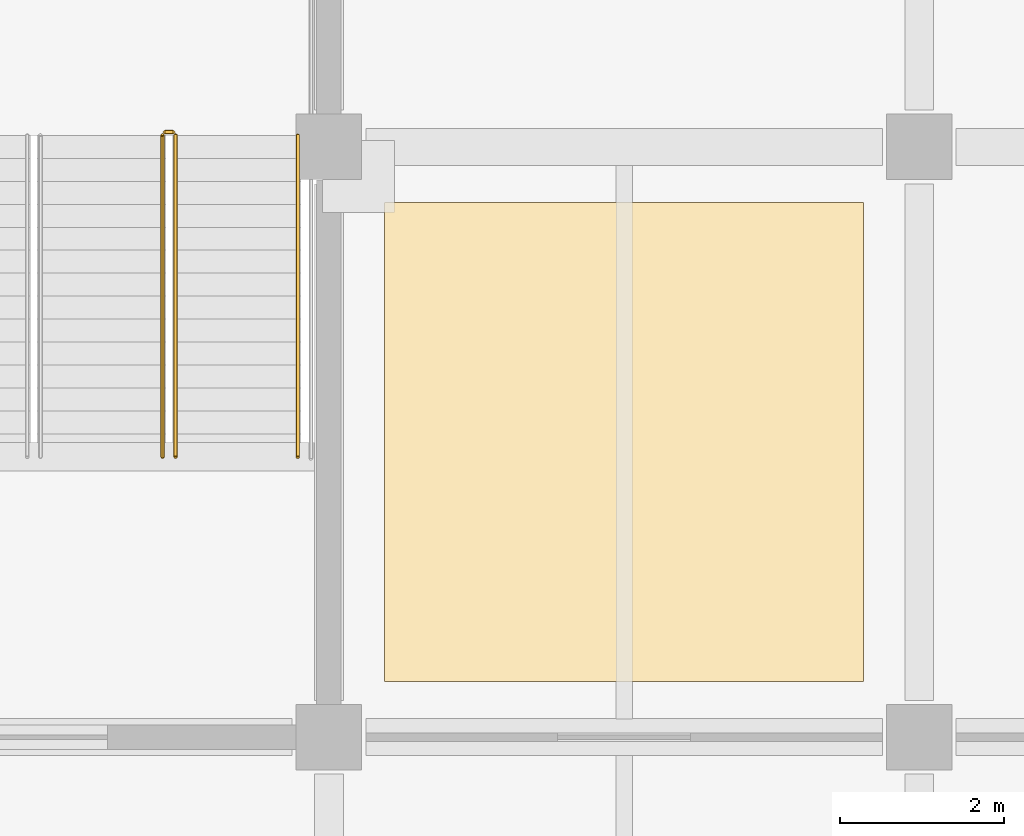
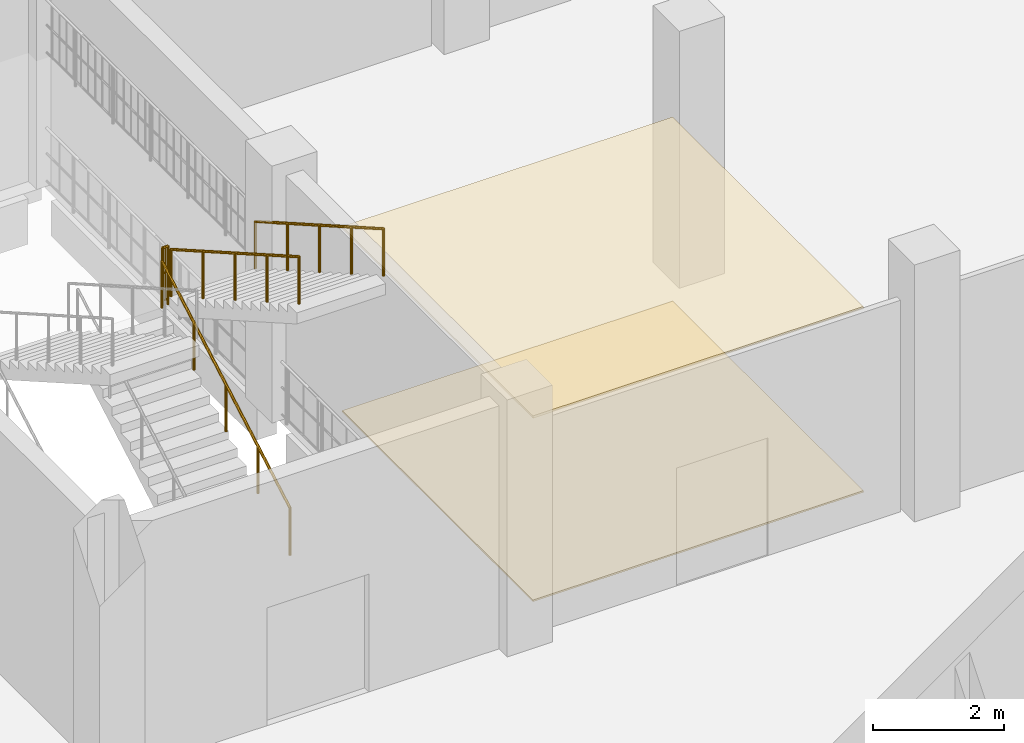
# One storey, part 86 of 99: 4 railings, 2 coverings.
"""IFC4 building model written with IfcOpenShell, lengths in metres."""

from ifc_helpers import new_model, si_unit, direction, frame, origin, origin_2d, place, context, subcontext, project, spatial, polyline, circle, outline, extrude, material, layer, layer_set, type_object, element, save


model = new_model("IFC4")

# Units and contexts
model_context = context("Model", 3, precision=1e-05, world=origin(), true_north=direction((0.0, 1.0)))
body_context = subcontext(model_context, "Body", "Model", "MODEL_VIEW")
ifc_project = project(units=[si_unit("LENGTHUNIT", "METRE"), si_unit("AREAUNIT", "SQUARE_METRE"), si_unit("VOLUMEUNIT", "CUBIC_METRE"), si_unit("PLANEANGLEUNIT", "RADIAN"), si_unit("MASSUNIT", "GRAM", prefix="KILO")], contexts=[model_context])

# Site, building, storey
site_placement = place(None, origin())
site = spatial("IfcSite", under=ifc_project, at=site_placement, CompositionType="ELEMENT")
building_placement = place(site_placement, origin())
building = spatial("IfcBuilding", under=site, at=building_placement, Name="Vesperath Aquatics Centre", CompositionType="ELEMENT")
storey_placement = place(building_placement, frame((0.0, 0.0, 5.39990234375)))
storey = spatial("IfcBuildingStorey", under=building, at=storey_placement, Name="L01", CompositionType="ELEMENT", Elevation=5.39990234375)

# Coverings
ifc_material_1 = material(Name="Perforated moisture-resistant acoustic mineral-fibre ceiling", Category="gypsum")
ifc_layer_1 = layer(ifc_material_1, 0.044921875)
ifc_layer_set_1 = layer_set([ifc_layer_1], Name="Perforated moisture-resistant acoustic mineral-fibre ceiling")
covering_type_1 = type_object("IfcCoveringType", Name="CV-CLG01", PredefinedType="CEILING", material=ifc_layer_set_1)
covering_1_placement = place(storey_placement, frame((0.0, 0.0, 3.425048828125)))
element("IfcCovering", 1, at=covering_1_placement, inside=storey, type_object=covering_type_1, Name="Acoustic Suspended Ceiling CLG1 L01_TEACH_1", PredefinedType="CEILING", context=body_context, shape_type="SweptSolid", body=[
    extrude(outline(polyline([(123.080078125, 22.280029296875), (128.919921875, 22.280029296875), (128.919921875, 28.1201171875), (123.080078125, 28.1201171875), (123.080078125, 22.280029296875)])), origin(), (0.0, 0.0, 1.0), 0.045166015625),
])
ifc_material_2 = material(Name="Slip-resistant vitrified ceramic and terrazzo flooring", Category="ceramic")
ifc_layer_2 = layer(ifc_material_2, 0.030029296875)
ifc_layer_set_2 = layer_set([ifc_layer_2], Name="Slip-resistant vitrified ceramic and terrazzo flooring")
covering_type_2 = type_object("IfcCoveringType", Name="CV-FLR01", PredefinedType="FLOORING", material=ifc_layer_set_2)
covering_2_placement = place(storey_placement, origin())
element("IfcCovering", 2, at=covering_2_placement, inside=storey, type_object=covering_type_2, Name="Slip-Resistant Floor Finish FLR1 L01_TEACH_1", PredefinedType="FLOORING", context=body_context, shape_type="SweptSolid", body=[
    extrude(outline(polyline([(123.080078125, 22.280029296875), (128.919921875, 22.280029296875), (128.919921875, 28.1201171875), (123.080078125, 28.1201171875), (123.080078125, 22.280029296875)])), origin(), (0.0, 0.0, 1.0), 0.030029296875),
])

# Railings
ifc_material_3 = material(Name="Powder-coated galvanized steel safety guard", Category="steel")
railing_type_1 = type_object("IfcRailingType", Name="RL-GRD01", PredefinedType="GUARDRAIL", material=ifc_material_3)
railing_1_placement = place(storey_placement, frame((120.39990234375, 28.97998046875, 2.400146484375)))
element("IfcRailing", 3, at=railing_1_placement, inside=storey, type_object=railing_type_1, Name="Stair ST7B Half-Landing Slot Guard GR02 L01", PredefinedType="GUARDRAIL", context=body_context, shape_type="SweptSolid", body=[
    extrude(circle(Radius=0.02392578125, at=origin_2d()), frame((0.0, 0.0, 1.0859375), z_axis=(1.0, 0.0, 0.0), x_axis=(0.0, 1.0, 0.0)), (0.0, 0.0, 1.0), 0.10009765625),
    extrude(circle(Radius=0.01611328125, at=origin_2d()), frame((0.0, 0.0, 0.10009765625), z_axis=(1.0, 0.0, 0.0), x_axis=(0.0, 1.0, 0.0)), (0.0, 0.0, 1.0), 0.10009765625),
    extrude(circle(Radius=0.01611328125, at=origin_2d()), frame((0.0, 0.0, 0.610595703125), z_axis=(1.0, 0.0, 0.0), x_axis=(0.0, 1.0, 0.0)), (0.0, 0.0, 1.0), 0.10009765625),
    extrude(circle(Radius=0.009033203125, at=origin_2d()), frame((0.050048828125, 0.0, 0.10009765625)), (0.0, 0.0, 1.0), 0.9619140625),
    extrude(circle(Radius=0.02197265625, at=origin_2d()), origin(), (0.0, 0.0, 1.0), 1.0859375),
    extrude(circle(Radius=0.02197265625, at=origin_2d()), frame((0.10009765625, 0.0, 0.0)), (0.0, 0.0, 1.0), 1.0859375),
])
ifc_material_4 = material(Name="Brushed stainless steel tubular handrail", Category="steel")
railing_type_2 = type_object("IfcRailingType", Name="RL-HND01", PredefinedType="HANDRAIL", material=ifc_material_4)
railing_2_placement = place(storey_placement, frame((120.3701171875, 25.02001953125, 0.16015625)))
element("IfcRailing", 4, at=railing_2_placement, inside=storey, type_object=railing_type_2, Name="Stair ST7B Flight 1 Handrail HR01 L01", PredefinedType="HANDRAIL", context=body_context, shape_type="SweptSolid", body=[
    extrude(circle(Radius=0.02392578125, at=origin_2d()), frame((0.0, 0.0, 0.8759765625), z_axis=(0.0, 0.868239814368, 0.496144761885), x_axis=(-1.0, 0.0, 0.0)), (0.0, 0.0, 1.0), 4.514892578125),
    extrude(circle(Radius=0.02197265625, at=origin_2d()), origin(), (0.0, 0.0, 1.0), 0.8759765625),
    extrude(circle(Radius=0.02197265625, at=origin_2d()), frame((0.0, 0.97998046875, 0.56005859375)), (0.0, 0.0, 1.0), 0.8759765625),
    extrude(circle(Radius=0.02197265625, at=origin_2d()), frame((0.0, 1.9599609375, 1.1201171875)), (0.0, 0.0, 1.0), 0.8759765625),
    extrude(circle(Radius=0.02197265625, at=origin_2d()), frame((0.0, 2.93994140625, 1.679931640625)), (0.0, 0.0, 1.0), 0.8759765625),
    extrude(circle(Radius=0.02197265625, at=origin_2d()), frame((0.0, 3.919921875, 2.239990234375)), (0.0, 0.0, 1.0), 0.8759765625),
])
for number, where, name in (
    (5, (120.530029296875, 28.93994140625, 2.56005859375), "Stair ST7B Flight 2 Handrail HR01 L01"),
    (6, (122.02001953125, 28.93994140625, 2.56005859375), "Stair ST7B Flight 2 Handrail HR01 L01"),
):
    element("IfcRailing", number, at=place(storey_placement, frame(where)), inside=storey, type_object=railing_type_2, Name=name, PredefinedType="HANDRAIL", context=body_context, shape_type="SweptSolid", body=[
        extrude(circle(Radius=0.02392578125, at=origin_2d()), frame((0.0, 0.0, 0.8759765625), z_axis=(0.0, -0.868239814368, 0.496144761885), x_axis=(1.0, 0.0, 0.0)), (0.0, 0.0, 1.0), 4.514892578125),
        extrude(circle(Radius=0.02197265625, at=origin_2d()), origin(), (0.0, 0.0, 1.0), 0.8759765625),
        extrude(circle(Radius=0.02197265625, at=origin_2d()), frame((0.0, -0.97998046875, 0.56005859375)), (0.0, 0.0, 1.0), 0.8759765625),
        extrude(circle(Radius=0.02197265625, at=origin_2d()), frame((0.0, -1.9599609375, 1.1201171875)), (0.0, 0.0, 1.0), 0.8759765625),
        extrude(circle(Radius=0.02197265625, at=origin_2d()), frame((0.0, -2.93994140625, 1.679931640625)), (0.0, 0.0, 1.0), 0.8759765625),
        extrude(circle(Radius=0.02197265625, at=origin_2d()), frame((0.0, -3.919921875, 2.239990234375)), (0.0, 0.0, 1.0), 0.8759765625),
    ])

save(model, "model.ifc")
